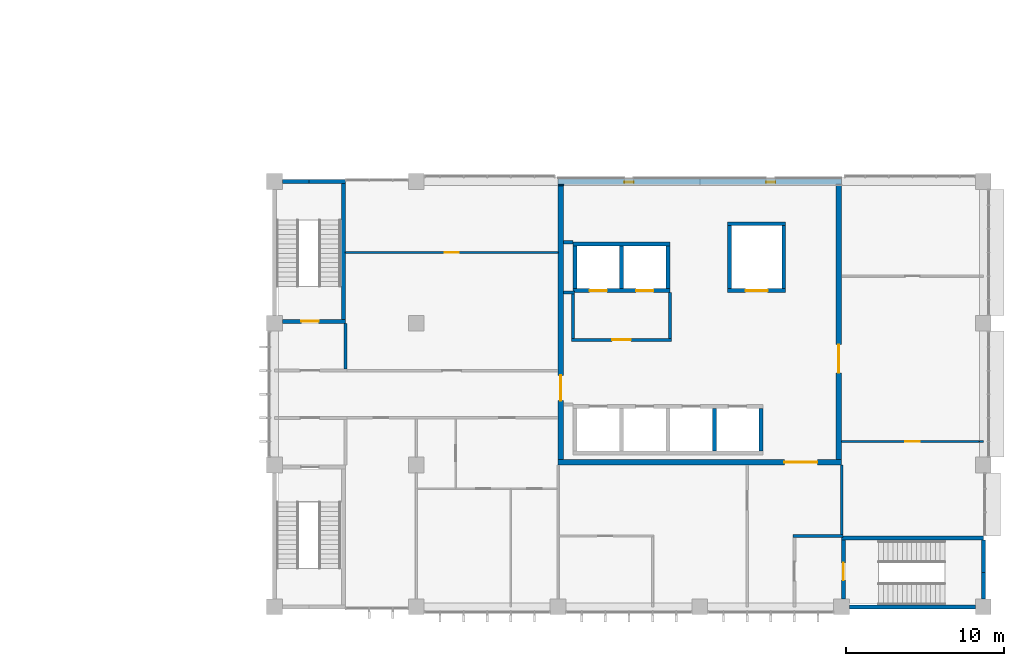
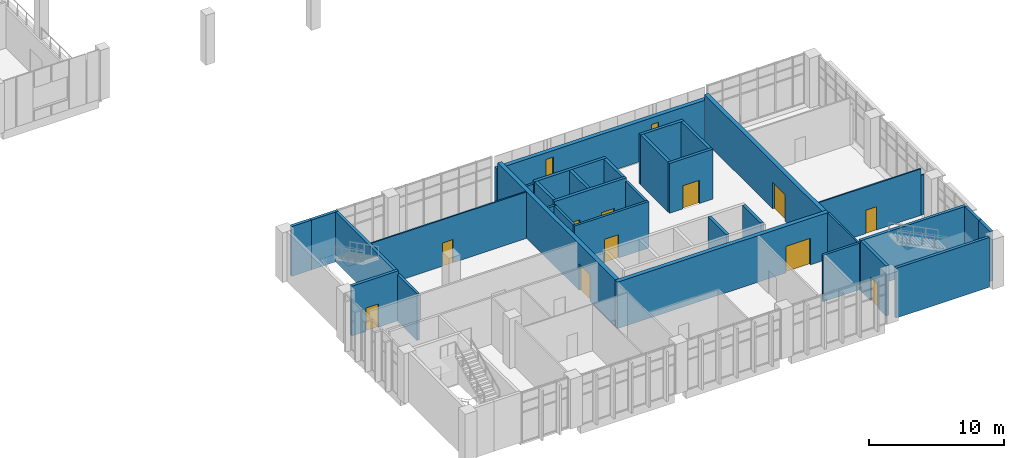
# One storey, part 65 of 88: 36 walls, 11 doors, 2 windows, 13 openings.
"""IFC4 building model written with IfcOpenShell, lengths in metres."""

from ifc_helpers import new_model, si_unit, direction, frame, frame_2d, origin, place, context, subcontext, project, spatial, rectangle, extrude, material, layer, layer_set, type_object, element, fill, save


model = new_model("IFC4")

# Units and contexts
model_context = context("Model", 3, precision=1e-05, world=origin(), true_north=direction((0.0, 1.0)))
body_context = subcontext(model_context, "Body", "Model", "MODEL_VIEW")
ifc_project = project(units=[si_unit("LENGTHUNIT", "METRE"), si_unit("AREAUNIT", "SQUARE_METRE"), si_unit("VOLUMEUNIT", "CUBIC_METRE"), si_unit("PLANEANGLEUNIT", "RADIAN"), si_unit("MASSUNIT", "GRAM", prefix="KILO")], contexts=[model_context])

# Site, building, storey
site_placement = place(None, origin())
site = spatial("IfcSite", under=ifc_project, at=site_placement, CompositionType="ELEMENT")
building_placement = place(site_placement, origin())
building = spatial("IfcBuilding", under=site, at=building_placement, Name="Guidao Yard Department Store", CompositionType="ELEMENT")
storey_placement = place(building_placement, frame((0.0, 0.0, 6.0)))
storey = spatial("IfcBuildingStorey", under=building, at=storey_placement, Name="L01", CompositionType="ELEMENT", Elevation=6.0)

# Wall
ifc_material_1 = material(Name="Gypsum Board")
ifc_layer_1 = layer(ifc_material_1, 0.14990234375)
ifc_layer_set_1 = layer_set([ifc_layer_1], Name="Corridor Partition 150 Gypsum Board EI 60")
wall_type_1 = type_object("IfcWallType", Name="Corridor Partition 150 Gypsum Board EI 60", PredefinedType="PARTITIONING", material=ifc_layer_set_1)
wall_1_placement = place(storey_placement, frame((162.0, 4.60009765625, 0.0), z_axis=(0.0, 0.0, 1.0), x_axis=(0.0, 1.0, 0.0)))
element("IfcWall", 1, at=wall_1_placement, inside=storey, type_object=wall_type_1, Name="pt.wall.L01.0030", PredefinedType="PARTITIONING", context=body_context, shape_type="SweptSolid", body=[
    extrude(rectangle(XDim=4.39990234375, YDim=0.14990234375, at=frame_2d((2.199951171875, 0.0))), origin(), (0.0, 0.0, 1.0), 4.199951171875),
])

# Wall, openings, windows
ifc_material_2 = material(Name="Concrete C40", Category="concrete")
ifc_layer_2 = layer(ifc_material_2, 0.35009765625)
ifc_layer_set_2 = layer_set([ifc_layer_2], Name="Office core face wall 350 C40")
wall_type_2 = type_object("IfcWallType", Name="Office core face wall 350 C40", PredefinedType="SOLIDWALL", material=ifc_layer_set_2)
wall_2_placement = place(storey_placement, frame((144.0, 27.0, 0.0), z_axis=(0.0, 0.0, 1.0), x_axis=(1.0, 0.0, 0.0)))
wall_2 = element("IfcWall", 2, at=wall_2_placement, inside=storey, type_object=wall_type_2, Name="Office north face wall", PredefinedType="SOLIDWALL", context=body_context, shape_type="SweptSolid", body=[
    extrude(rectangle(XDim=18.0, YDim=0.35009765625, at=frame_2d((9.0, 0.0))), origin(), (0.0, 0.0, 1.0), 3.60009765625),
])
opening_1_placement = place(wall_2_placement, frame((4.199951171875, 0.0, 0.60009765625)))
opening_1 = element("IfcOpeningElement", 3, at=opening_1_placement, cuts=wall_2, Name="Opening WN-L01-E37", PredefinedType="OPENING", context=body_context, shape_type="SweptSolid", body=[
    extrude(rectangle(XDim=0.60009765625, YDim=2.39990234375, at=frame_2d((0.300048828125, 1.199951171875))), frame((0.0, 0.18505859375, 0.0), z_axis=(0.0, -1.0, 0.0), x_axis=(1.0, 0.0, 0.0)), (0.0, 0.0, 1.0), 0.3701171875),
])
opening_2_placement = place(wall_2_placement, frame((13.199951171875, 0.0, 0.60009765625)))
opening_2 = element("IfcOpeningElement", 4, at=opening_2_placement, cuts=wall_2, Name="Opening WN-L01-E38", PredefinedType="OPENING", context=body_context, shape_type="SweptSolid", body=[
    extrude(rectangle(XDim=0.60009765625, YDim=2.39990234375, at=frame_2d((0.300048828125, 1.199951171875))), frame((0.0, 0.18505859375, 0.0), z_axis=(0.0, -1.0, 0.0), x_axis=(1.0, 0.0, 0.0)), (0.0, 0.0, 1.0), 0.3701171875),
])
ifc_material_3 = material(Name="Laminated glass in aluminium frame", Category="aluminium")
window_type = type_object("IfcWindowType", Name="Lobby window LW1 600 x 2400 fixed", PartitioningType="SINGLE_PANEL", PredefinedType="WINDOW", material=ifc_material_3)
window_1_placement = place(opening_1_placement, origin())
window_1 = element("IfcWindow", 5, at=window_1_placement, inside=storey, type_object=window_type, Name="Lift lobby window", OverallHeight=2.39990234375, OverallWidth=0.60009765625, PartitioningType="SINGLE_PANEL", PredefinedType="WINDOW", context=body_context, shape_type="SweptSolid", body=[
    extrude(rectangle(XDim=0.60009765625, YDim=2.39990234375, at=frame_2d((0.300048828125, 1.199951171875))), frame((0.0, -0.0048828125, 0.0), z_axis=(0.0, -1.0, 0.0), x_axis=(1.0, 0.0, 0.0)), (0.0, 0.0, 1.0), 0.06005859375),
])
fill(opening_1, window_1)
window_2_placement = place(opening_2_placement, origin())
window_2 = element("IfcWindow", 6, at=window_2_placement, inside=storey, type_object=window_type, Name="Lift lobby window", OverallHeight=2.39990234375, OverallWidth=0.60009765625, PartitioningType="SINGLE_PANEL", PredefinedType="WINDOW", context=body_context, shape_type="SweptSolid", body=[
    extrude(rectangle(XDim=0.60009765625, YDim=2.39990234375, at=frame_2d((0.300048828125, 1.199951171875))), frame((0.0, -0.0048828125, 0.0), z_axis=(0.0, -1.0, 0.0), x_axis=(1.0, 0.0, 0.0)), (0.0, 0.0, 1.0), 0.06005859375),
])
fill(opening_2, window_2)

# Wall, opening, door
ifc_material_4 = material(Name="Gypsum Board")
ifc_layer_3 = layer(ifc_material_4, 0.1201171875)
ifc_layer_set_3 = layer_set([ifc_layer_3], Name="Partition 120 Gypsum Board EI 45")
wall_type_3 = type_object("IfcWallType", Name="Partition 120 Gypsum Board EI 45", PredefinedType="PARTITIONING", material=ifc_layer_set_3)
wall_3_placement = place(storey_placement, frame((162.0, 10.5, 0.0), z_axis=(0.0, 0.0, 1.0), x_axis=(1.0, 0.0, 0.0)))
wall_3 = element("IfcWall", 7, at=wall_3_placement, inside=storey, type_object=wall_type_3, Name="pt.wall.L01.0005", PredefinedType="PARTITIONING", context=body_context, shape_type="SweptSolid", body=[
    extrude(rectangle(XDim=8.75, YDim=0.1201171875, at=frame_2d((4.375, 0.0))), origin(), (0.0, 0.0, 1.0), 4.199951171875),
])
opening_3_placement = place(wall_3_placement, frame((4.949951171875, 0.0, 0.0), z_axis=(0.0, 0.0, 1.0), x_axis=(-1.0, 0.0, 0.0)))
opening_3 = element("IfcOpeningElement", 8, at=opening_3_placement, cuts=wall_3, Name="Opening L01-416", PredefinedType="OPENING", context=body_context, shape_type="SweptSolid", body=[
    extrude(rectangle(XDim=0.89990234375, YDim=2.10009765625, at=frame_2d((0.449951171875, 1.050048828125))), frame((0.0, 0.070068359375, 0.0), z_axis=(0.0, -1.0, 0.0), x_axis=(1.0, 0.0, 0.0)), (0.0, 0.0, 1.0), 0.14013671875),
])
ifc_material_5 = material(Name="Timber door leaf with Steel Q235 frame", Category="steel")
door_type_1 = type_object("IfcDoorType", Name="Door 900 x 2100 NOT RATED Single Leaf", OperationType="SINGLE_SWING_LEFT", PredefinedType="DOOR", material=ifc_material_5)
door_1_placement = place(opening_3_placement, origin())
door_1 = element("IfcDoor", 9, at=door_1_placement, inside=storey, type_object=door_type_1, Name="Door L01-416", OperationType="SINGLE_SWING_LEFT", OverallHeight=2.10009765625, OverallWidth=0.89990234375, PredefinedType="DOOR", context=body_context, shape_type="SweptSolid", body=[
    extrude(rectangle(XDim=0.89990234375, YDim=2.10009765625, at=frame_2d((0.449951171875, 1.050048828125))), frame((0.0, 0.02490234375, 0.0), z_axis=(0.0, -1.0, 0.0), x_axis=(1.0, 0.0, 0.0)), (0.0, 0.0, 1.0), 0.050048828125),
])
fill(opening_3, door_1)

# Wall
wall_4_placement = place(storey_placement, frame((170.75, 10.5, 0.0), z_axis=(0.0, 0.0, 1.0), x_axis=(1.0, 0.0, 0.0)))
element("IfcWall", 10, at=wall_4_placement, inside=storey, type_object=wall_type_3, Name="pt.wall.L01.0005a", PredefinedType="PARTITIONING", context=body_context, shape_type="SweptSolid", body=[
    extrude(rectangle(XDim=0.25, YDim=0.1201171875, at=frame_2d((0.125, 0.0))), origin(), (0.0, 0.0, 1.0), 3.60009765625),
])

# Wall, opening, door
wall_5_placement = place(storey_placement, frame((130.5, 22.5, 0.0), z_axis=(0.0, 0.0, 1.0), x_axis=(1.0, 0.0, 0.0)))
wall_5 = element("IfcWall", 11, at=wall_5_placement, inside=storey, type_object=wall_type_3, Name="pt.wall.L01.0014", PredefinedType="PARTITIONING", context=body_context, shape_type="SweptSolid", body=[
    extrude(rectangle(XDim=13.5, YDim=0.1201171875, at=frame_2d((6.75, 0.0))), origin(), (0.0, 0.0, 1.0), 4.199951171875),
])
opening_4_placement = place(wall_5_placement, frame((6.300048828125, 0.0, 0.0)))
opening_4 = element("IfcOpeningElement", 12, at=opening_4_placement, cuts=wall_5, Name="Opening L01-413", PredefinedType="OPENING", context=body_context, shape_type="SweptSolid", body=[
    extrude(rectangle(XDim=0.89990234375, YDim=2.10009765625, at=frame_2d((0.449951171875, 1.050048828125))), frame((0.0, 0.070068359375, 0.0), z_axis=(0.0, -1.0, 0.0), x_axis=(1.0, 0.0, 0.0)), (0.0, 0.0, 1.0), 0.14013671875),
])
door_2_placement = place(opening_4_placement, origin())
door_2 = element("IfcDoor", 13, at=door_2_placement, inside=storey, type_object=door_type_1, Name="Door L01-413", OperationType="SINGLE_SWING_LEFT", OverallHeight=2.10009765625, OverallWidth=0.89990234375, PredefinedType="DOOR", context=body_context, shape_type="SweptSolid", body=[
    extrude(rectangle(XDim=0.89990234375, YDim=2.10009765625, at=frame_2d((0.449951171875, 1.050048828125))), frame((0.0, 0.02490234375, 0.0), z_axis=(0.0, -1.0, 0.0), x_axis=(1.0, 0.0, 0.0)), (0.0, 0.0, 1.0), 0.050048828125),
])
fill(opening_4, door_2)

# Wall
ifc_material_6 = material(Name="Autoclaved aerated concrete block A3.5 B06", Category="concrete")
ifc_layer_4 = layer(ifc_material_6, 0.199951171875)
ifc_layer_set_4 = layer_set([ifc_layer_4], Name="Shaft Wall 200 Autoclaved Block EI 120")
wall_type_4 = type_object("IfcWallType", Name="Shaft Wall 200 Autoclaved Block EI 120", PredefinedType="PARTITIONING", material=ifc_layer_set_4)
wall_6_placement = place(storey_placement, frame((158.89990234375, 4.5, 0.0), z_axis=(0.0, 0.0, 1.0), x_axis=(1.0, 0.0, 0.0)))
element("IfcWall", 14, at=wall_6_placement, inside=storey, type_object=wall_type_4, Name="pt.wall.L01.0002", PredefinedType="PARTITIONING", context=body_context, shape_type="SweptSolid", body=[
    extrude(rectangle(XDim=3.175048828125, YDim=0.199951171875, at=frame_2d((1.58740234375, 0.0))), origin(), (0.0, 0.0, 1.0), 4.199951171875),
])

# Wall, opening, door
wall_7_placement = place(storey_placement, frame((144.85009765625, 16.949951171875, 0.0), z_axis=(0.0, 0.0, 1.0), x_axis=(1.0, 0.0, 0.0)))
wall_7 = element("IfcWall", 15, at=wall_7_placement, inside=storey, type_object=wall_type_4, Name="pt.wall.L01.0011", PredefinedType="PARTITIONING", context=body_context, shape_type="SweptSolid", body=[
    extrude(rectangle(XDim=6.349853515625, YDim=0.199951171875, at=frame_2d((3.1748046875, 0.0))), origin(), (0.0, 0.0, 1.0), 4.199951171875),
])
opening_5_placement = place(wall_7_placement, frame((2.574951171875, 0.0, 0.0)))
opening_5 = element("IfcOpeningElement", 16, at=opening_5_placement, cuts=wall_7, Name="Opening L01-400", PredefinedType="OPENING", context=body_context, shape_type="SweptSolid", body=[
    extrude(rectangle(XDim=1.199951171875, YDim=2.10009765625, at=frame_2d((0.60009765625, 1.050048828125))), frame((0.0, 0.10986328125, 0.0), z_axis=(0.0, -1.0, 0.0), x_axis=(1.0, 0.0, 0.0)), (0.0, 0.0, 1.0), 0.219970703125),
])
ifc_material_7 = material(Name="Timber door leaf with Steel Q235 frame", Category="steel")
door_type_2 = type_object("IfcDoorType", Name="Door 1200 x 2100 FD60 Single Leaf", OperationType="SINGLE_SWING_LEFT", PredefinedType="DOOR", material=ifc_material_7)
door_3_placement = place(opening_5_placement, origin())
door_3 = element("IfcDoor", 17, at=door_3_placement, inside=storey, type_object=door_type_2, Name="Door L01-400", OperationType="SINGLE_SWING_RIGHT", OverallHeight=2.10009765625, OverallWidth=1.199951171875, PredefinedType="DOOR", context=body_context, shape_type="SweptSolid", body=[
    extrude(rectangle(XDim=1.199951171875, YDim=2.10009765625, at=frame_2d((0.60009765625, 1.050048828125))), frame((0.0, 0.02490234375, 0.0), z_axis=(0.0, -1.0, 0.0), x_axis=(1.0, 0.0, 0.0)), (0.0, 0.0, 1.0), 0.050048828125),
])
fill(opening_5, door_3)

# Walls
wall_8_placement = place(storey_placement, frame((144.35009765625, 19.949951171875, 0.0), z_axis=(0.0, 0.0, 1.0), x_axis=(1.0, 0.0, 0.0)))
element("IfcWall", 18, at=wall_8_placement, inside=storey, type_object=wall_type_4, Name="pt.wall.L01.0012", PredefinedType="PARTITIONING", context=body_context, shape_type="SweptSolid", body=[
    extrude(rectangle(XDim=0.699951171875, YDim=0.199951171875, at=frame_2d((0.35009765625, 0.0))), origin(), (0.0, 0.0, 1.0), 4.199951171875),
])
wall_9_placement = place(storey_placement, frame((144.35009765625, 23.14990234375, 0.0), z_axis=(0.0, 0.0, 1.0), x_axis=(1.0, 0.0, 0.0)))
element("IfcWall", 19, at=wall_9_placement, inside=storey, type_object=wall_type_4, Name="pt.wall.L01.0015", PredefinedType="PARTITIONING", context=body_context, shape_type="SweptSolid", body=[
    extrude(rectangle(XDim=0.599853515625, YDim=0.199951171875, at=frame_2d((0.2998046875, 0.0))), origin(), (0.0, 0.0, 1.0), 4.199951171875),
])
wall_10_placement = place(storey_placement, frame((130.5, 15.10009765625, 0.0), z_axis=(0.0, 0.0, 1.0), x_axis=(0.0, 1.0, 0.0)))
element("IfcWall", 20, at=wall_10_placement, inside=storey, type_object=wall_type_4, Name="pt.wall.L01.0017", PredefinedType="PARTITIONING", context=body_context, shape_type="SweptSolid", body=[
    extrude(rectangle(XDim=2.89990234375, YDim=0.199951171875, at=frame_2d((1.449951171875, 0.0))), origin(), (0.0, 0.0, 1.0), 4.199951171875),
])
wall_11_placement = place(storey_placement, frame((144.949951171875, 17.050048828125, 0.0), z_axis=(0.0, 0.0, 1.0), x_axis=(0.0, 1.0, 0.0)))
element("IfcWall", 21, at=wall_11_placement, inside=storey, type_object=wall_type_4, Name="pt.wall.L01.0024", PredefinedType="PARTITIONING", context=body_context, shape_type="SweptSolid", body=[
    extrude(rectangle(XDim=2.800048828125, YDim=0.199951171875, at=frame_2d((1.39990234375, 0.0))), origin(), (0.0, 0.0, 1.0), 4.199951171875),
])
wall_12_placement = place(storey_placement, frame((151.10009765625, 17.050048828125, 0.0), z_axis=(0.0, 0.0, 1.0), x_axis=(0.0, 1.0, 0.0)))
element("IfcWall", 22, at=wall_12_placement, inside=storey, type_object=wall_type_4, Name="pt.wall.L01.0026", PredefinedType="PARTITIONING", context=body_context, shape_type="SweptSolid", body=[
    extrude(rectangle(XDim=2.89990234375, YDim=0.199951171875, at=frame_2d((1.449951171875, 0.0))), origin(), (0.0, 0.0, 1.0), 4.199951171875),
])

# Wall, opening, door
ifc_material_8 = material(Name="Concrete C50", Category="concrete")
ifc_layer_5 = layer(ifc_material_8, 0.35009765625)
ifc_layer_set_5 = layer_set([ifc_layer_5], Name="Shear Wall 350 Concrete C50")
wall_type_5 = type_object("IfcWallType", Name="Shear Wall 350 Concrete C50", PredefinedType="SHEAR", material=ifc_layer_set_5)
wall_13_placement = place(storey_placement, frame((144.0, 9.175048828125, 0.0), z_axis=(0.0, 0.0, 1.0), x_axis=(1.0, 0.0, 0.0)))
wall_13 = element("IfcWall", 23, at=wall_13_placement, inside=storey, type_object=wall_type_5, Name="pt.wall.L01.0004", PredefinedType="SHEAR", context=body_context, shape_type="SweptSolid", body=[
    extrude(rectangle(XDim=18.0, YDim=0.35009765625, at=frame_2d((9.0, 0.0))), origin(), (0.0, 0.0, 1.0), 4.199951171875),
])
opening_6_placement = place(wall_13_placement, frame((16.462646484375, 0.0, 0.0), z_axis=(0.0, 0.0, 1.0), x_axis=(-1.0, 0.0, 0.0)))
opening_6 = element("IfcOpeningElement", 24, at=opening_6_placement, cuts=wall_13, Name="Opening L01-406", PredefinedType="OPENING", context=body_context, shape_type="SweptSolid", body=[
    extrude(rectangle(XDim=2.10009765625, YDim=2.39990234375, at=frame_2d((1.050048828125, 1.199951171875))), frame((0.0, 0.18505859375, 0.0), z_axis=(0.0, -1.0, 0.0), x_axis=(1.0, 0.0, 0.0)), (0.0, 0.0, 1.0), 0.3701171875),
])
ifc_material_9 = material(Name="Timber door leaf with Steel Q235 frame", Category="steel")
door_type_3 = type_object("IfcDoorType", Name="Door 2100 x 2400 FD60 Double Leaf", OperationType="DOUBLE_DOOR_SINGLE_SWING", PredefinedType="DOOR", material=ifc_material_9)
door_4_placement = place(opening_6_placement, origin())
door_4 = element("IfcDoor", 25, at=door_4_placement, inside=storey, type_object=door_type_3, Name="Door L01-406", OperationType="DOUBLE_DOOR_SINGLE_SWING", OverallHeight=2.39990234375, OverallWidth=2.10009765625, PredefinedType="DOOR", context=body_context, shape_type="SweptSolid", body=[
    extrude(rectangle(XDim=2.10009765625, YDim=2.39990234375, at=frame_2d((1.050048828125, 1.199951171875))), frame((0.0, 0.02490234375, 0.0), z_axis=(0.0, -1.0, 0.0), x_axis=(1.0, 0.0, 0.0)), (0.0, 0.0, 1.0), 0.050048828125),
])
fill(opening_6, door_4)

wall_14_placement = place(storey_placement, frame((144.175048828125, 9.35009765625, 0.0), z_axis=(0.0, 0.0, 1.0), x_axis=(0.0, 1.0, 0.0)))
wall_14 = element("IfcWall", 26, at=wall_14_placement, inside=storey, type_object=wall_type_5, Name="pt.wall.L01.0023", PredefinedType="SHEAR", context=body_context, shape_type="SweptSolid", body=[
    extrude(rectangle(XDim=17.39990234375, YDim=0.35009765625, at=frame_2d((8.699951171875, 0.0))), origin(), (0.0, 0.0, 1.0), 4.199951171875),
])
opening_7_placement = place(wall_14_placement, frame((3.75, 0.0, 0.0)))
opening_7 = element("IfcOpeningElement", 27, at=opening_7_placement, cuts=wall_14, Name="Opening L01-404", PredefinedType="OPENING", context=body_context, shape_type="SweptSolid", body=[
    extrude(rectangle(XDim=1.60009765625, YDim=2.39990234375, at=frame_2d((0.800048828125, 1.199951171875))), frame((0.0, 0.18505859375, 0.0), z_axis=(0.0, -1.0, 0.0), x_axis=(1.0, 0.0, 0.0)), (0.0, 0.0, 1.0), 0.3701171875),
])
ifc_material_10 = material(Name="Timber door leaf with Steel Q235 frame", Category="steel")
door_type_4 = type_object("IfcDoorType", Name="Door 1600 x 2400 FD60 Double Leaf", OperationType="DOUBLE_DOOR_SINGLE_SWING", PredefinedType="DOOR", material=ifc_material_10)
door_5_placement = place(opening_7_placement, origin())
door_5 = element("IfcDoor", 28, at=door_5_placement, inside=storey, type_object=door_type_4, Name="Door L01-404", OperationType="DOUBLE_DOOR_SINGLE_SWING", OverallHeight=2.39990234375, OverallWidth=1.60009765625, PredefinedType="DOOR", context=body_context, shape_type="SweptSolid", body=[
    extrude(rectangle(XDim=1.60009765625, YDim=2.39990234375, at=frame_2d((0.800048828125, 1.199951171875))), frame((0.0, 0.02490234375, 0.0), z_axis=(0.0, -1.0, 0.0), x_axis=(1.0, 0.0, 0.0)), (0.0, 0.0, 1.0), 0.050048828125),
])
fill(opening_7, door_5)

# Wall
wall_15_placement = place(storey_placement, frame((144.175048828125, 26.75, 0.0), z_axis=(0.0, 0.0, 1.0), x_axis=(0.0, 1.0, 0.0)))
element("IfcWall", 29, at=wall_15_placement, inside=storey, type_object=wall_type_5, Name="pt.wall.L01.0023a", PredefinedType="SHEAR", context=body_context, shape_type="SweptSolid", body=[
    extrude(rectangle(XDim=0.074951171875, YDim=0.35009765625, at=frame_2d((0.03759765625, 0.0))), origin(), (0.0, 0.0, 1.0), 3.60009765625),
])

# Wall, opening, door
wall_16_placement = place(storey_placement, frame((161.824951171875, 9.35009765625, 0.0), z_axis=(0.0, 0.0, 1.0), x_axis=(0.0, 1.0, 0.0)))
wall_16 = element("IfcWall", 30, at=wall_16_placement, inside=storey, type_object=wall_type_5, Name="pt.wall.L01.0029", PredefinedType="SHEAR", context=body_context, shape_type="SweptSolid", body=[
    extrude(rectangle(XDim=17.39990234375, YDim=0.35009765625, at=frame_2d((8.699951171875, 0.0))), origin(), (0.0, 0.0, 1.0), 4.199951171875),
])
opening_8_placement = place(wall_16_placement, frame((7.300048828125, 0.0, 0.0), z_axis=(0.0, 0.0, 1.0), x_axis=(-1.0, 0.0, 0.0)))
opening_8 = element("IfcOpeningElement", 31, at=opening_8_placement, cuts=wall_16, Name="Opening L01-405", PredefinedType="OPENING", context=body_context, shape_type="SweptSolid", body=[
    extrude(rectangle(XDim=1.800048828125, YDim=2.39990234375, at=frame_2d((0.89990234375, 1.199951171875))), frame((0.0, 0.18505859375, 0.0), z_axis=(0.0, -1.0, 0.0), x_axis=(1.0, 0.0, 0.0)), (0.0, 0.0, 1.0), 0.3701171875),
])
ifc_material_11 = material(Name="Timber door leaf with Steel Q235 frame", Category="steel")
door_type_5 = type_object("IfcDoorType", Name="Door 1800 x 2400 FD60 Double Leaf", OperationType="DOUBLE_DOOR_SINGLE_SWING", PredefinedType="DOOR", material=ifc_material_11)
door_6_placement = place(opening_8_placement, origin())
door_6 = element("IfcDoor", 32, at=door_6_placement, inside=storey, type_object=door_type_5, Name="Door L01-405", OperationType="DOUBLE_DOOR_SINGLE_SWING", OverallHeight=2.39990234375, OverallWidth=1.800048828125, PredefinedType="DOOR", context=body_context, shape_type="SweptSolid", body=[
    extrude(rectangle(XDim=1.800048828125, YDim=2.39990234375, at=frame_2d((0.89990234375, 1.199951171875))), frame((0.0, 0.02490234375, 0.0), z_axis=(0.0, -1.0, 0.0), x_axis=(1.0, 0.0, 0.0)), (0.0, 0.0, 1.0), 0.050048828125),
])
fill(opening_8, door_6)

# Walls
ifc_material_12 = material(Name="Concrete C40", Category="concrete")
ifc_layer_6 = layer(ifc_material_12, 0.25)
ifc_layer_set_6 = layer_set([ifc_layer_6], Name="Wall RC 250 C40 stair and shaft")
wall_type_6 = type_object("IfcWallType", Name="Wall RC 250 C40 stair and shaft", PredefinedType="SHEAR", material=ifc_layer_set_6)
wall_17_placement = place(storey_placement, frame((162.5, 0.0, 0.0), z_axis=(0.0, 0.0, 1.0), x_axis=(1.0, 0.0, 0.0)))
element("IfcWall", 33, at=wall_17_placement, inside=storey, type_object=wall_type_6, Name="Stair wall SO2", PredefinedType="SHEAR", context=body_context, shape_type="SweptSolid", body=[
    extrude(rectangle(XDim=8.0, YDim=0.25, at=frame_2d((4.0, 0.0))), origin(), (0.0, 0.0, 1.0), 4.5),
])
wall_18_placement = place(storey_placement, frame((162.0, 4.375, 0.0), z_axis=(0.0, 0.0, 1.0), x_axis=(1.0, 0.0, 0.0)))
element("IfcWall", 34, at=wall_18_placement, inside=storey, type_object=wall_type_6, Name="Stair wall SO2", PredefinedType="SHEAR", context=body_context, shape_type="SweptSolid", body=[
    extrude(rectangle(XDim=9.0, YDim=0.25, at=frame_2d((4.5, 0.0))), origin(), (0.0, 0.0, 1.0), 4.5),
])

# Wall, opening, door
wall_19_placement = place(storey_placement, frame((162.125, 0.5, 0.0), z_axis=(0.0, 0.0, 1.0), x_axis=(0.0, 1.0, 0.0)))
wall_19 = element("IfcWall", 35, at=wall_19_placement, inside=storey, type_object=wall_type_6, Name="Stair wall SO2", PredefinedType="SHEAR", context=body_context, shape_type="SweptSolid", body=[
    extrude(rectangle(XDim=3.75, YDim=0.25, at=frame_2d((1.875, 0.0))), origin(), (0.0, 0.0, 1.0), 4.5),
])
opening_9_placement = place(wall_19_placement, frame((2.300048828125, 0.0, 0.0), z_axis=(0.0, 0.0, 1.0), x_axis=(-1.0, 0.0, 0.0)))
opening_9 = element("IfcOpeningElement", 36, at=opening_9_placement, cuts=wall_19, Name="Opening L01-816", PredefinedType="OPENING", context=body_context, shape_type="SweptSolid", body=[
    extrude(rectangle(XDim=1.10009765625, YDim=2.10009765625, at=frame_2d((0.550048828125, 1.050048828125))), frame((0.0, 0.135009765625, 0.0), z_axis=(0.0, -1.0, 0.0), x_axis=(1.0, 0.0, 0.0)), (0.0, 0.0, 1.0), 0.27001953125),
])
ifc_material_13 = material(Name="Steel Q235", Category="steel")
door_type_6 = type_object("IfcDoorType", Name="Door fire-resisting 1100 x 2100 FD60", OperationType="SINGLE_SWING_LEFT", PredefinedType="DOOR", material=ifc_material_13)
door_7_placement = place(opening_9_placement, origin())
door_7 = element("IfcDoor", 37, at=door_7_placement, inside=storey, type_object=door_type_6, Name="Stair O2 door L01", OperationType="SINGLE_SWING_RIGHT", OverallHeight=2.10009765625, OverallWidth=1.10009765625, PredefinedType="DOOR", context=body_context, shape_type="SweptSolid", body=[
    extrude(rectangle(XDim=1.10009765625, YDim=2.10009765625, at=frame_2d((0.550048828125, 1.050048828125))), frame((0.0, 0.02490234375, 0.0), z_axis=(0.0, -1.0, 0.0), x_axis=(1.0, 0.0, 0.0)), (0.0, 0.0, 1.0), 0.050048828125),
])
fill(opening_9, door_7)

# Walls
wall_20_placement = place(storey_placement, frame((171.0, 0.5, 0.0), z_axis=(0.0, 0.0, 1.0), x_axis=(0.0, 1.0, 0.0)))
element("IfcWall", 38, at=wall_20_placement, inside=storey, type_object=wall_type_6, Name="Stair wall SO2", PredefinedType="SHEAR", context=body_context, shape_type="SweptSolid", body=[
    extrude(rectangle(XDim=1.68798828125, YDim=0.25, at=frame_2d((0.843994140625, 0.0))), origin(), (0.0, 0.0, 1.0), 4.5),
])
wall_21_placement = place(storey_placement, frame((171.0, 2.18798828125, 0.0), z_axis=(0.0, 0.0, 1.0), x_axis=(0.0, 1.0, 0.0)))
element("IfcWall", 39, at=wall_21_placement, inside=storey, type_object=wall_type_6, Name="Stair wall SO2", PredefinedType="SHEAR", context=body_context, shape_type="SweptSolid", body=[
    extrude(rectangle(XDim=2.06201171875, YDim=0.25, at=frame_2d((1.031005859375, 0.0))), origin(), (0.0, 0.0, 1.0), 4.5),
])

# Wall, opening, door
wall_22_placement = place(storey_placement, frame((126.5, 18.125, 0.0), z_axis=(0.0, 0.0, 1.0), x_axis=(1.0, 0.0, 0.0)))
wall_22 = element("IfcWall", 40, at=wall_22_placement, inside=storey, type_object=wall_type_6, Name="Stair wall SO3", PredefinedType="SHEAR", context=body_context, shape_type="SweptSolid", body=[
    extrude(rectangle(XDim=4.0, YDim=0.25, at=frame_2d((2.0, 0.0))), origin(), (0.0, 0.0, 1.0), 4.5),
])
opening_10_placement = place(wall_22_placement, frame((1.199951171875, 0.0, 0.0)))
opening_10 = element("IfcOpeningElement", 41, at=opening_10_placement, cuts=wall_22, Name="Opening L01-817", PredefinedType="OPENING", context=body_context, shape_type="SweptSolid", body=[
    extrude(rectangle(XDim=1.10009765625, YDim=2.10009765625, at=frame_2d((0.550048828125, 1.050048828125))), frame((0.0, 0.135009765625, 0.0), z_axis=(0.0, -1.0, 0.0), x_axis=(1.0, 0.0, 0.0)), (0.0, 0.0, 1.0), 0.27001953125),
])
door_8_placement = place(opening_10_placement, origin())
door_8 = element("IfcDoor", 42, at=door_8_placement, inside=storey, type_object=door_type_6, Name="Stair O3 door L01", OperationType="SINGLE_SWING_LEFT", OverallHeight=2.10009765625, OverallWidth=1.10009765625, PredefinedType="DOOR", context=body_context, shape_type="SweptSolid", body=[
    extrude(rectangle(XDim=1.10009765625, YDim=2.10009765625, at=frame_2d((0.550048828125, 1.050048828125))), frame((0.0, 0.02490234375, 0.0), z_axis=(0.0, -1.0, 0.0), x_axis=(1.0, 0.0, 0.0)), (0.0, 0.0, 1.0), 0.050048828125),
])
fill(opening_10, door_8)

# Walls
wall_23_placement = place(storey_placement, frame((126.5, 27.0, 0.0), z_axis=(0.0, 0.0, 1.0), x_axis=(1.0, 0.0, 0.0)))
element("IfcWall", 43, at=wall_23_placement, inside=storey, type_object=wall_type_6, Name="Stair wall SO3", PredefinedType="SHEAR", context=body_context, shape_type="SweptSolid", body=[
    extrude(rectangle(XDim=1.68798828125, YDim=0.25, at=frame_2d((0.843994140625, 0.0))), origin(), (0.0, 0.0, 1.0), 4.5),
])
wall_24_placement = place(storey_placement, frame((128.18798828125, 27.0, 0.0), z_axis=(0.0, 0.0, 1.0), x_axis=(1.0, 0.0, 0.0)))
element("IfcWall", 44, at=wall_24_placement, inside=storey, type_object=wall_type_6, Name="Stair wall SO3", PredefinedType="SHEAR", context=body_context, shape_type="SweptSolid", body=[
    extrude(rectangle(XDim=2.31201171875, YDim=0.25, at=frame_2d((1.156005859375, 0.0))), origin(), (0.0, 0.0, 1.0), 4.5),
])
wall_25_placement = place(storey_placement, frame((130.375, 18.25, 0.0), z_axis=(0.0, 0.0, 1.0), x_axis=(0.0, 1.0, 0.0)))
element("IfcWall", 45, at=wall_25_placement, inside=storey, type_object=wall_type_6, Name="Stair wall SO3", PredefinedType="SHEAR", context=body_context, shape_type="SweptSolid", body=[
    extrude(rectangle(XDim=8.625, YDim=0.25, at=frame_2d((4.3125, 0.0))), origin(), (0.0, 0.0, 1.0), 4.5),
])
for number, where, z_axis, x_axis, name in (
    (46, (153.925048828125, 9.89990234375, 0.0), (0.0, 0.0, 1.0), (0.0, 1.0, 0.0), "Lift shaft wall OL1 to OL4"),
    (47, (156.875, 9.89990234375, 0.0), (0.0, 0.0, 1.0), (0.0, 1.0, 0.0), "Lift shaft wall OL1 to OL4"),
):
    element("IfcWall", number, at=place(storey_placement, frame(where, z_axis=z_axis, x_axis=x_axis)), inside=storey, type_object=wall_type_6, Name=name, PredefinedType="SHEAR", context=body_context, shape_type="SweptSolid", body=[
        extrude(rectangle(XDim=2.7001953125, YDim=0.25, at=frame_2d((1.35009765625, 0.0))), origin(), (0.0, 0.0, 1.0), 4.5),
    ])

# Wall, openings, doors
wall_26_placement = place(storey_placement, frame((144.949951171875, 20.074951171875, 0.0), z_axis=(0.0, 0.0, 1.0), x_axis=(1.0, 0.0, 0.0)))
wall_26 = element("IfcWall", 48, at=wall_26_placement, inside=storey, type_object=wall_type_6, Name="Lift shaft wall OF1 to OF2", PredefinedType="SHEAR", context=body_context, shape_type="SweptSolid", body=[
    extrude(rectangle(XDim=6.150146484375, YDim=0.25, at=frame_2d((3.0751953125, 0.0))), origin(), (0.0, 0.0, 1.0), 4.5),
])
opening_11_placement = place(wall_26_placement, frame((1.050048828125, 0.0, 0.0)))
opening_11 = element("IfcOpeningElement", 49, at=opening_11_placement, cuts=wall_26, Name="Opening LD-OF1-L01", PredefinedType="OPENING", context=body_context, shape_type="SweptSolid", body=[
    extrude(rectangle(XDim=1.10009765625, YDim=2.10009765625, at=frame_2d((0.550048828125, 1.050048828125))), frame((0.0, 0.135009765625, 0.0), z_axis=(0.0, -1.0, 0.0), x_axis=(1.0, 0.0, 0.0)), (0.0, 0.0, 1.0), 0.27001953125),
])
opening_12_placement = place(wall_26_placement, frame((4.0, 0.0, 0.0)))
opening_12 = element("IfcOpeningElement", 50, at=opening_12_placement, cuts=wall_26, Name="Opening LD-OF2-L01", PredefinedType="OPENING", context=body_context, shape_type="SweptSolid", body=[
    extrude(rectangle(XDim=1.10009765625, YDim=2.10009765625, at=frame_2d((0.550048828125, 1.050048828125))), frame((0.0, 0.135009765625, 0.0), z_axis=(0.0, -1.0, 0.0), x_axis=(1.0, 0.0, 0.0)), (0.0, 0.0, 1.0), 0.27001953125),
])
ifc_material_14 = material(Name="Stainless steel 06Cr19Ni10", Category="steel")
door_type_7 = type_object("IfcDoorType", Name="Lift landing door fire-resisting sliding 1100 x 2100", OperationType="DOUBLE_DOOR_SLIDING", PredefinedType="DOOR", material=ifc_material_14)
door_9_placement = place(opening_11_placement, origin())
door_9 = element("IfcDoor", 51, at=door_9_placement, inside=storey, type_object=door_type_7, Name="Lift landing door OF1 L01", OperationType="DOUBLE_DOOR_SLIDING", OverallHeight=2.10009765625, OverallWidth=1.10009765625, PredefinedType="DOOR", context=body_context, shape_type="SweptSolid", body=[
    extrude(rectangle(XDim=1.10009765625, YDim=2.10009765625, at=frame_2d((0.550048828125, 1.050048828125))), frame((0.0, 0.02490234375, 0.0), z_axis=(0.0, -1.0, 0.0), x_axis=(1.0, 0.0, 0.0)), (0.0, 0.0, 1.0), 0.050048828125),
])
fill(opening_11, door_9)
door_10_placement = place(opening_12_placement, origin())
door_10 = element("IfcDoor", 52, at=door_10_placement, inside=storey, type_object=door_type_7, Name="Lift landing door OF2 L01", OperationType="DOUBLE_DOOR_SLIDING", OverallHeight=2.10009765625, OverallWidth=1.10009765625, PredefinedType="DOOR", context=body_context, shape_type="SweptSolid", body=[
    extrude(rectangle(XDim=1.10009765625, YDim=2.10009765625, at=frame_2d((0.550048828125, 1.050048828125))), frame((0.0, 0.02490234375, 0.0), z_axis=(0.0, -1.0, 0.0), x_axis=(1.0, 0.0, 0.0)), (0.0, 0.0, 1.0), 0.050048828125),
])
fill(opening_12, door_10)

# Walls
wall_27_placement = place(storey_placement, frame((144.949951171875, 23.02490234375, 0.0), z_axis=(0.0, 0.0, 1.0), x_axis=(1.0, 0.0, 0.0)))
element("IfcWall", 53, at=wall_27_placement, inside=storey, type_object=wall_type_6, Name="Lift shaft wall OF1 to OF2", PredefinedType="SHEAR", context=body_context, shape_type="SweptSolid", body=[
    extrude(rectangle(XDim=6.150146484375, YDim=0.25, at=frame_2d((3.0751953125, 0.0))), origin(), (0.0, 0.0, 1.0), 4.5),
])
for number, where, z_axis, x_axis, name in (
    (54, (145.074951171875, 20.199951171875, 0.0), (0.0, 0.0, 1.0), (0.0, 1.0, 0.0), "Lift shaft wall OF1 to OF2"),
    (55, (148.02490234375, 20.199951171875, 0.0), (0.0, 0.0, 1.0), (0.0, 1.0, 0.0), "Lift shaft wall OF1 to OF2"),
    (56, (150.97509765625, 20.199951171875, 0.0), (0.0, 0.0, 1.0), (0.0, 1.0, 0.0), "Lift shaft wall OF1 to OF2"),
):
    element("IfcWall", number, at=place(storey_placement, frame(where, z_axis=z_axis, x_axis=x_axis)), inside=storey, type_object=wall_type_6, Name=name, PredefinedType="SHEAR", context=body_context, shape_type="SweptSolid", body=[
        extrude(rectangle(XDim=2.699951171875, YDim=0.25, at=frame_2d((1.35009765625, 0.0))), origin(), (0.0, 0.0, 1.0), 4.5),
    ])

# Wall, opening, door
wall_28_placement = place(storey_placement, frame((154.75, 20.074951171875, 0.0), z_axis=(0.0, 0.0, 1.0), x_axis=(1.0, 0.0, 0.0)))
wall_28 = element("IfcWall", 57, at=wall_28_placement, inside=storey, type_object=wall_type_6, Name="Lift shaft wall OS1", PredefinedType="SHEAR", context=body_context, shape_type="SweptSolid", body=[
    extrude(rectangle(XDim=3.699951171875, YDim=0.25, at=frame_2d((1.85009765625, 0.0))), origin(), (0.0, 0.0, 1.0), 4.5),
])
opening_13_placement = place(wall_28_placement, frame((1.14990234375, 0.0, 0.0)))
opening_13 = element("IfcOpeningElement", 58, at=opening_13_placement, cuts=wall_28, Name="Opening LD-OS1-L01", PredefinedType="OPENING", context=body_context, shape_type="SweptSolid", body=[
    extrude(rectangle(XDim=1.39990234375, YDim=2.10009765625, at=frame_2d((0.699951171875, 1.050048828125))), frame((0.0, 0.135009765625, 0.0), z_axis=(0.0, -1.0, 0.0), x_axis=(1.0, 0.0, 0.0)), (0.0, 0.0, 1.0), 0.27001953125),
])
ifc_material_15 = material(Name="Stainless steel 06Cr19Ni10", Category="steel")
door_type_8 = type_object("IfcDoorType", Name="Lift landing door fire-resisting sliding 1400 x 2100", OperationType="DOUBLE_DOOR_SLIDING", PredefinedType="DOOR", material=ifc_material_15)
door_11_placement = place(opening_13_placement, origin())
door_11 = element("IfcDoor", 59, at=door_11_placement, inside=storey, type_object=door_type_8, Name="Lift landing door OS1 L01", OperationType="DOUBLE_DOOR_SLIDING", OverallHeight=2.10009765625, OverallWidth=1.39990234375, PredefinedType="DOOR", context=body_context, shape_type="SweptSolid", body=[
    extrude(rectangle(XDim=1.39990234375, YDim=2.10009765625, at=frame_2d((0.699951171875, 1.050048828125))), frame((0.0, 0.02490234375, 0.0), z_axis=(0.0, -1.0, 0.0), x_axis=(1.0, 0.0, 0.0)), (0.0, 0.0, 1.0), 0.050048828125),
])
fill(opening_13, door_11)

# Walls
wall_29_placement = place(storey_placement, frame((154.75, 24.324951171875, 0.0), z_axis=(0.0, 0.0, 1.0), x_axis=(1.0, 0.0, 0.0)))
element("IfcWall", 60, at=wall_29_placement, inside=storey, type_object=wall_type_6, Name="Lift shaft wall OS1", PredefinedType="SHEAR", context=body_context, shape_type="SweptSolid", body=[
    extrude(rectangle(XDim=3.699951171875, YDim=0.25, at=frame_2d((1.85009765625, 0.0))), origin(), (0.0, 0.0, 1.0), 4.5),
])
for number, where, z_axis, x_axis, name in (
    (61, (154.875, 20.199951171875, 0.0), (0.0, 0.0, 1.0), (0.0, 1.0, 0.0), "Lift shaft wall OS1"),
    (62, (158.324951171875, 20.199951171875, 0.0), (0.0, 0.0, 1.0), (0.0, 1.0, 0.0), "Lift shaft wall OS1"),
):
    element("IfcWall", number, at=place(storey_placement, frame(where, z_axis=z_axis, x_axis=x_axis)), inside=storey, type_object=wall_type_6, Name=name, PredefinedType="SHEAR", context=body_context, shape_type="SweptSolid", body=[
        extrude(rectangle(XDim=4.0, YDim=0.25, at=frame_2d((2.0, 0.0))), origin(), (0.0, 0.0, 1.0), 4.5),
    ])

save(model, "model.ifc")
